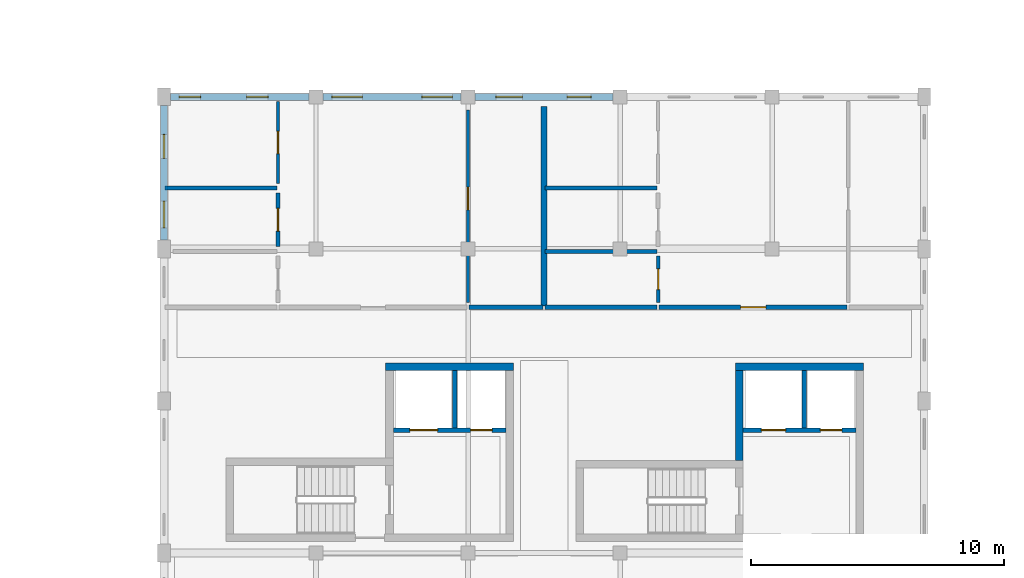
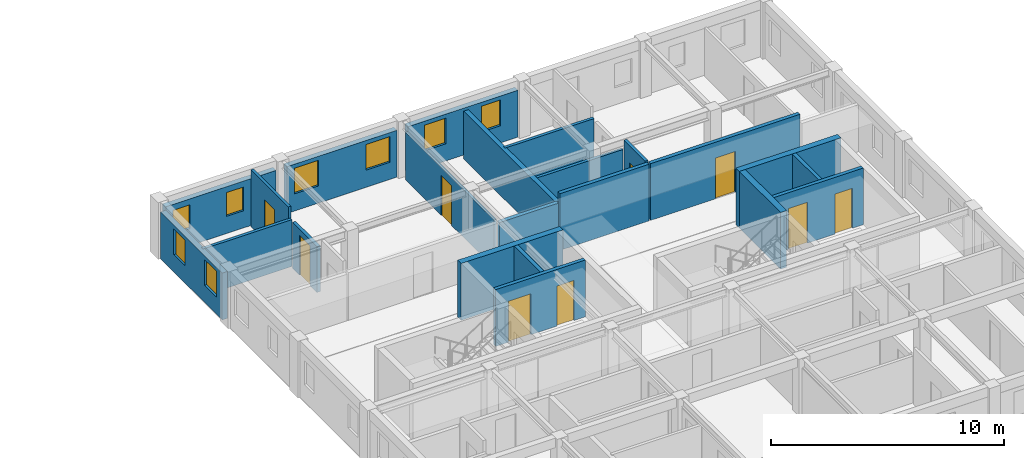
# One storey, part 13 of 28: 22 walls, 9 doors, 8 windows, 17 openings.
"""IFC4 building model written with IfcOpenShell, lengths in metres."""

from ifc_helpers import new_model, si_unit, direction, frame, frame_2d, origin, place, context, subcontext, project, spatial, rectangle, extrude, material, layer, layer_set, type_object, element, fill, save


model = new_model("IFC4")

# Units and contexts
model_context = context("Model", 3, precision=1e-05, world=origin(), true_north=direction((0.0, 1.0)))
body_context = subcontext(model_context, "Body", "Model", "MODEL_VIEW")
ifc_project = project(units=[si_unit("LENGTHUNIT", "METRE"), si_unit("AREAUNIT", "SQUARE_METRE"), si_unit("VOLUMEUNIT", "CUBIC_METRE"), si_unit("PLANEANGLEUNIT", "RADIAN"), si_unit("MASSUNIT", "GRAM", prefix="KILO"), si_unit("POWERUNIT", "WATT"), si_unit("THERMODYNAMICTEMPERATUREUNIT", "KELVIN")], contexts=[model_context])

# Site, building, storey
site_placement = place(None, origin())
site = spatial("IfcSite", under=ifc_project, at=site_placement, CompositionType="ELEMENT")
building_placement = place(site_placement, origin())
building = spatial("IfcBuilding", under=site, at=building_placement, Name="Ruvembo Vaulted Housing Court", CompositionType="ELEMENT")
storey_placement = place(building_placement, frame((0.0, 0.0, 23.699951171875)))
storey = spatial("IfcBuildingStorey", under=building, at=storey_placement, Name="L07", CompositionType="ELEMENT", Elevation=23.699951171875)

# Walls
ifc_material_1 = material(Name="Concrete C35/45", Category="concrete")
ifc_layer_1 = layer(ifc_material_1, 0.300048828125, Name="Concrete C35/45")
ifc_layer_set_1 = layer_set([ifc_layer_1], Name="Concrete C35/45")
wall_type_1 = type_object("IfcWallType", Name="WL-CORE-300", PredefinedType="SHEAR", material=ifc_layer_set_1)
for number, where, z_axis, x_axis, name in (
    (1, (115.800048828125, 19.35009765625, 0.0), (0.0, 0.0, 1.0), (-1.0, 0.0, 0.0), "Core C1 L07 North Shear Wall"),
    (2, (129.60009765625, 19.35009765625, 0.0), (0.0, 0.0, 1.0), (-1.0, 0.0, 0.0), "Core C2 L07 North Shear Wall"),
):
    element("IfcWall", number, at=place(storey_placement, frame(where, z_axis=z_axis, x_axis=x_axis)), inside=storey, type_object=wall_type_1, Name=name, PredefinedType="SHEAR", context=body_context, shape_type="SweptSolid", body=[
        extrude(rectangle(XDim=5.050048828125, YDim=0.300048828125, at=frame_2d((2.52490234375, 0.0))), origin(), (0.0, 0.0, 1.0), 2.97509765625),
    ])
wall_1_placement = place(storey_placement, frame((124.699951171875, 15.64990234375, 0.0), z_axis=(0.0, 0.0, 1.0), x_axis=(0.0, 1.0, 0.0)))
element("IfcWall", 3, at=wall_1_placement, inside=storey, type_object=wall_type_1, Name="Core C2 L07 Upper West Shear Wall", PredefinedType="SHEAR", context=body_context, shape_type="SweptSolid", body=[
    extrude(rectangle(XDim=3.550048828125, YDim=0.300048828125, at=frame_2d((1.77490234375, 0.0))), origin(), (0.0, 0.0, 1.0), 2.97509765625),
])
ifc_material_2 = material(Name="Concrete Blockwork 190", Category="masonry")
ifc_layer_2 = layer(ifc_material_2, 0.18994140625, Name="Concrete Blockwork 190")
ifc_layer_set_2 = layer_set([ifc_layer_2], Name="Concrete Blockwork 190")
wall_type_2 = type_object("IfcWallType", Name="WL-CORR-190", PredefinedType="SOLIDWALL", material=ifc_layer_set_2)
wall_2_placement = place(storey_placement, frame((114.0400390625, 21.699951171875, 0.0), z_axis=(0.0, 0.0, 1.0), x_axis=(1.0, 0.0, 0.0)))
element("IfcWall", 4, at=wall_2_placement, inside=storey, type_object=wall_type_2, Name="L07 Flat C-L07-N1 Corridor Wall 2 WL-INT-L07-01962", PredefinedType="SOLIDWALL", context=body_context, shape_type="SweptSolid", body=[
    extrude(rectangle(XDim=2.919921875, YDim=0.18994140625, at=frame_2d((1.4599609375, 0.0))), origin(), (0.0, 0.0, 1.0), 2.508056640625),
])
wall_3_placement = place(storey_placement, frame((117.0400390625, 21.699951171875, 0.0), z_axis=(0.0, 0.0, 1.0), x_axis=(1.0, 0.0, 0.0)))
element("IfcWall", 5, at=wall_3_placement, inside=storey, type_object=wall_type_2, Name="L07 Flat C-L07-N2 Corridor Wall WL-INT-L07-01964", PredefinedType="SOLIDWALL", context=body_context, shape_type="SweptSolid", body=[
    extrude(rectangle(XDim=4.419921875, YDim=0.18994140625, at=frame_2d((2.2099609375, 0.0))), origin(), (0.0, 0.0, 1.0), 2.97509765625),
])

# Wall, opening, door
wall_4_placement = place(storey_placement, frame((121.5400390625, 21.699951171875, 0.0), z_axis=(0.0, 0.0, 1.0), x_axis=(1.0, 0.0, 0.0)))
wall_4 = element("IfcWall", 6, at=wall_4_placement, inside=storey, type_object=wall_type_2, Name="L07 Flat C-L07-N2 Entrance WL-INT-L07-01965", PredefinedType="SOLIDWALL", context=body_context, shape_type="SweptSolid", body=[
    extrude(rectangle(XDim=7.419921875, YDim=0.18994140625, at=frame_2d((3.7099609375, 0.0))), origin(), (0.0, 0.0, 1.0), 2.97509765625),
])
opening_1_placement = place(wall_4_placement, frame((3.2099609375, 0.0, 0.0)))
opening_1 = element("IfcOpeningElement", 7, at=opening_1_placement, cuts=wall_4, Name="Opening FD1", PredefinedType="OPENING", context=body_context, shape_type="SweptSolid", body=[
    extrude(rectangle(XDim=1.0, YDim=2.14990234375, at=frame_2d((0.5, 1.074951171875))), frame((0.0, 0.10498046875, 0.0), z_axis=(0.0, -1.0, 0.0), x_axis=(1.0, 0.0, 0.0)), (0.0, 0.0, 1.0), 0.2099609375),
])
ifc_material_3 = material(Name="FSC Hardwood and Engineered Timber", Category="wood")
door_type_1 = type_object("IfcDoorType", Name="DR-FLAT-1000x2150", OperationType="NOTDEFINED", PredefinedType="DOOR", material=ifc_material_3)
door_1_placement = place(opening_1_placement, origin())
door_1 = element("IfcDoor", 8, at=door_1_placement, inside=storey, type_object=door_type_1, Name="L07 Flat C-L07-N2 Entrance Door DR-INT-L07-01101", OperationType="SINGLE_SWING_LEFT", OverallHeight=2.14990234375, OverallWidth=1.0, PredefinedType="DOOR", context=body_context, shape_type="SweptSolid", body=[
    extrude(rectangle(XDim=1.0, YDim=2.14990234375, at=frame_2d((0.5, 1.074951171875))), frame((0.0, 0.02490234375, 0.0), z_axis=(0.0, -1.0, 0.0), x_axis=(1.0, 0.0, 0.0)), (0.0, 0.0, 1.0), 0.050048828125),
])
fill(opening_1, door_1)

# Wall
ifc_material_4 = material(Name="Acoustic Masonry Demising 230", Category="masonry")
ifc_layer_3 = layer(ifc_material_4, 0.22998046875, Name="Acoustic Masonry Demising 230")
ifc_layer_set_3 = layer_set([ifc_layer_3], Name="Acoustic Masonry Demising 230")
wall_type_3 = type_object("IfcWallType", Name="WL-DEM-230", PredefinedType="SOLIDWALL", material=ifc_layer_set_3)
wall_5_placement = place(storey_placement, frame((117.0, 21.739990234375, 0.0), z_axis=(0.0, 0.0, 1.0), x_axis=(0.0, 1.0, 0.0)))
element("IfcWall", 9, at=wall_5_placement, inside=storey, type_object=wall_type_3, Name="L07 Demising C-L07-N1 WL-INT-L07-01954", PredefinedType="SOLIDWALL", context=body_context, shape_type="SweptSolid", body=[
    extrude(rectangle(XDim=7.8701171875, YDim=0.22998046875, at=frame_2d((3.93505859375, 0.0))), origin(), (0.0, 0.0, 1.0), 2.508056640625),
])

# Wall, openings, windows
ifc_material_5 = material(Name="Rendered Masonry 270", Category="masonry")
ifc_layer_4 = layer(ifc_material_5, 0.27001953125, Name="Rendered Masonry 270")
ifc_layer_set_4 = layer_set([ifc_layer_4], Name="Rendered Masonry 270")
wall_type_4 = type_object("IfcWallType", Name="WL-EXT-270", PredefinedType="STANDARD", material=ifc_layer_set_4)
wall_6_placement = place(storey_placement, frame((119.72509765625, 30.0, 0.0), z_axis=(0.0, 0.0, 1.0), x_axis=(-1.0, 0.0, 0.0)))
wall_6 = element("IfcWall", 10, at=wall_6_placement, inside=storey, type_object=wall_type_4, Name="Block C L07 Exterior Wall COURTYARD #3", PredefinedType="STANDARD", context=body_context, shape_type="SweptSolid", body=[
    extrude(rectangle(XDim=5.4501953125, YDim=0.27001953125, at=frame_2d((2.72509765625, 0.0))), origin(), (0.0, 0.0, 1.0), 2.45703125),
])
opening_2_placement = place(wall_6_placement, frame((0.867431640625, 0.0, 0.89990234375)))
opening_2 = element("IfcOpeningElement", 11, at=opening_2_placement, cuts=wall_6, Name="Opening W07", PredefinedType="OPENING", context=body_context, shape_type="SweptSolid", body=[
    extrude(rectangle(XDim=0.949951171875, YDim=1.35009765625, at=frame_2d((0.47509765625, 0.675048828125))), frame((0.0, 0.14501953125, 0.0), z_axis=(0.0, -1.0, 0.0), x_axis=(1.0, 0.0, 0.0)), (0.0, 0.0, 1.0), 0.2900390625),
])
opening_3_placement = place(wall_6_placement, frame((3.58251953125, 0.0, 0.89990234375)))
opening_3 = element("IfcOpeningElement", 12, at=opening_3_placement, cuts=wall_6, Name="Opening W09", PredefinedType="OPENING", context=body_context, shape_type="SweptSolid", body=[
    extrude(rectangle(XDim=1.050048828125, YDim=1.35009765625, at=frame_2d((0.52490234375, 0.675048828125))), frame((0.0, 0.14501953125, 0.0), z_axis=(0.0, -1.0, 0.0), x_axis=(1.0, 0.0, 0.0)), (0.0, 0.0, 1.0), 0.2900390625),
])
ifc_material_6 = material(Name="Double Solar-Control Glazing in Aluminium Frame", Category="aluminium")
window_type_1 = type_object("IfcWindowType", Name="WIN-0950x1350", PartitioningType="SINGLE_PANEL", PredefinedType="WINDOW", material=ifc_material_6)
window_1_placement = place(opening_2_placement, origin())
window_1 = element("IfcWindow", 13, at=window_1_placement, inside=storey, type_object=window_type_1, Name="Block C L07 Window #1389", OverallHeight=1.35009765625, OverallWidth=0.949951171875, PartitioningType="SINGLE_PANEL", PredefinedType="WINDOW", context=body_context, shape_type="SweptSolid", body=[
    extrude(rectangle(XDim=0.949951171875, YDim=1.35009765625, at=frame_2d((0.47509765625, 0.675048828125))), frame((0.0, 0.030029296875, 0.0), z_axis=(0.0, -1.0, 0.0), x_axis=(1.0, 0.0, 0.0)), (0.0, 0.0, 1.0), 0.06005859375),
])
fill(opening_2, window_1)
window_type_2 = type_object("IfcWindowType", Name="WIN-1050x1350", PartitioningType="SINGLE_PANEL", PredefinedType="WINDOW", material=ifc_material_6)
window_2_placement = place(opening_3_placement, origin())
window_2 = element("IfcWindow", 14, at=window_2_placement, inside=storey, type_object=window_type_2, Name="Block C L07 Window #1390", OverallHeight=1.35009765625, OverallWidth=1.050048828125, PartitioningType="SINGLE_PANEL", PredefinedType="WINDOW", context=body_context, shape_type="SweptSolid", body=[
    extrude(rectangle(XDim=1.050048828125, YDim=1.35009765625, at=frame_2d((0.52490234375, 0.675048828125))), frame((0.0, 0.030029296875, 0.0), z_axis=(0.0, -1.0, 0.0), x_axis=(1.0, 0.0, 0.0)), (0.0, 0.0, 1.0), 0.06005859375),
])
fill(opening_3, window_2)

wall_7_placement = place(storey_placement, frame((113.72509765625, 30.0, 0.0), z_axis=(0.0, 0.0, 1.0), x_axis=(-1.0, 0.0, 0.0)))
wall_7 = element("IfcWall", 15, at=wall_7_placement, inside=storey, type_object=wall_type_4, Name="Block C L07 Exterior Wall COURTYARD #4", PredefinedType="STANDARD", context=body_context, shape_type="SweptSolid", body=[
    extrude(rectangle(XDim=5.4501953125, YDim=0.27001953125, at=frame_2d((2.72509765625, 0.0))), origin(), (0.0, 0.0, 1.0), 2.45703125),
])
opening_4_placement = place(wall_7_placement, frame((0.35009765625, 0.0, 0.89990234375)))
opening_4 = element("IfcOpeningElement", 16, at=opening_4_placement, cuts=wall_7, Name="Opening W12", PredefinedType="OPENING", context=body_context, shape_type="SweptSolid", body=[
    extrude(rectangle(XDim=1.199951171875, YDim=1.35009765625, at=frame_2d((0.60009765625, 0.675048828125))), frame((0.0, 0.14501953125, 0.0), z_axis=(0.0, -1.0, 0.0), x_axis=(1.0, 0.0, 0.0)), (0.0, 0.0, 1.0), 0.2900390625),
])
opening_5_placement = place(wall_7_placement, frame((3.89990234375, 0.0, 0.89990234375)))
opening_5 = element("IfcOpeningElement", 17, at=opening_5_placement, cuts=wall_7, Name="Opening W12", PredefinedType="OPENING", context=body_context, shape_type="SweptSolid", body=[
    extrude(rectangle(XDim=1.199951171875, YDim=1.35009765625, at=frame_2d((0.60009765625, 0.675048828125))), frame((0.0, 0.14501953125, 0.0), z_axis=(0.0, -1.0, 0.0), x_axis=(1.0, 0.0, 0.0)), (0.0, 0.0, 1.0), 0.2900390625),
])
window_type_3 = type_object("IfcWindowType", Name="WIN-1200x1350", PartitioningType="SINGLE_PANEL", PredefinedType="WINDOW", material=ifc_material_6)
window_3_placement = place(opening_4_placement, origin())
window_3 = element("IfcWindow", 18, at=window_3_placement, inside=storey, type_object=window_type_3, Name="Block C L07 Window #1391", OverallHeight=1.35009765625, OverallWidth=1.199951171875, PartitioningType="SINGLE_PANEL", PredefinedType="WINDOW", context=body_context, shape_type="SweptSolid", body=[
    extrude(rectangle(XDim=1.199951171875, YDim=1.35009765625, at=frame_2d((0.60009765625, 0.675048828125))), frame((0.0, 0.030029296875, 0.0), z_axis=(0.0, -1.0, 0.0), x_axis=(1.0, 0.0, 0.0)), (0.0, 0.0, 1.0), 0.06005859375),
])
fill(opening_4, window_3)
window_4_placement = place(opening_5_placement, origin())
window_4 = element("IfcWindow", 19, at=window_4_placement, inside=storey, type_object=window_type_3, Name="Block C L07 Window #1392", OverallHeight=1.35009765625, OverallWidth=1.199951171875, PartitioningType="SINGLE_PANEL", PredefinedType="WINDOW", context=body_context, shape_type="SweptSolid", body=[
    extrude(rectangle(XDim=1.199951171875, YDim=1.35009765625, at=frame_2d((0.60009765625, 0.675048828125))), frame((0.0, 0.030029296875, 0.0), z_axis=(0.0, -1.0, 0.0), x_axis=(1.0, 0.0, 0.0)), (0.0, 0.0, 1.0), 0.06005859375),
])
fill(opening_5, window_4)

wall_8_placement = place(storey_placement, frame((107.72509765625, 30.0, 0.0), z_axis=(0.0, 0.0, 1.0), x_axis=(-1.0, 0.0, 0.0)))
wall_8 = element("IfcWall", 20, at=wall_8_placement, inside=storey, type_object=wall_type_4, Name="Block C L07 Exterior Wall COURTYARD #5", PredefinedType="STANDARD", context=body_context, shape_type="SweptSolid", body=[
    extrude(rectangle(XDim=5.47509765625, YDim=0.27001953125, at=frame_2d((2.737548828125, 0.0))), origin(), (0.0, 0.0, 1.0), 2.45703125),
])
opening_6_placement = place(wall_8_placement, frame((1.614990234375, 0.0, 0.89990234375)))
opening_6 = element("IfcOpeningElement", 21, at=opening_6_placement, cuts=wall_8, Name="Opening W03", PredefinedType="OPENING", context=body_context, shape_type="SweptSolid", body=[
    extrude(rectangle(XDim=0.85009765625, YDim=1.25, at=frame_2d((0.425048828125, 0.625))), frame((0.0, 0.14501953125, 0.0), z_axis=(0.0, -1.0, 0.0), x_axis=(1.0, 0.0, 0.0)), (0.0, 0.0, 1.0), 0.2900390625),
])
opening_7_placement = place(wall_8_placement, frame((4.27490234375, 0.0, 0.89990234375)))
opening_7 = element("IfcOpeningElement", 22, at=opening_7_placement, cuts=wall_8, Name="Opening W03", PredefinedType="OPENING", context=body_context, shape_type="SweptSolid", body=[
    extrude(rectangle(XDim=0.85009765625, YDim=1.25, at=frame_2d((0.425048828125, 0.625))), frame((0.0, 0.14501953125, 0.0), z_axis=(0.0, -1.0, 0.0), x_axis=(1.0, 0.0, 0.0)), (0.0, 0.0, 1.0), 0.2900390625),
])
window_type_4 = type_object("IfcWindowType", Name="WIN-0850x1250", PartitioningType="SINGLE_PANEL", PredefinedType="WINDOW", material=ifc_material_6)
window_5_placement = place(opening_6_placement, origin())
window_5 = element("IfcWindow", 23, at=window_5_placement, inside=storey, type_object=window_type_4, Name="Block C L07 Window #1393", OverallHeight=1.25, OverallWidth=0.85009765625, PartitioningType="SINGLE_PANEL", PredefinedType="WINDOW", context=body_context, shape_type="SweptSolid", body=[
    extrude(rectangle(XDim=0.85009765625, YDim=1.25, at=frame_2d((0.425048828125, 0.625))), frame((0.0, 0.030029296875, 0.0), z_axis=(0.0, -1.0, 0.0), x_axis=(1.0, 0.0, 0.0)), (0.0, 0.0, 1.0), 0.06005859375),
])
fill(opening_6, window_5)
window_6_placement = place(opening_7_placement, origin())
window_6 = element("IfcWindow", 24, at=window_6_placement, inside=storey, type_object=window_type_4, Name="Block C L07 Window #1394", OverallHeight=1.25, OverallWidth=0.85009765625, PartitioningType="SINGLE_PANEL", PredefinedType="WINDOW", context=body_context, shape_type="SweptSolid", body=[
    extrude(rectangle(XDim=0.85009765625, YDim=1.25, at=frame_2d((0.425048828125, 0.625))), frame((0.0, 0.030029296875, 0.0), z_axis=(0.0, -1.0, 0.0), x_axis=(1.0, 0.0, 0.0)), (0.0, 0.0, 1.0), 0.06005859375),
])
fill(opening_7, window_6)

wall_9_placement = place(storey_placement, frame((102.0, 29.64990234375, 0.0), z_axis=(0.0, 0.0, 1.0), x_axis=(0.0, -1.0, 0.0)))
wall_9 = element("IfcWall", 25, at=wall_9_placement, inside=storey, type_object=wall_type_4, Name="Block C L07 Exterior Wall WEST #1", PredefinedType="STANDARD", context=body_context, shape_type="SweptSolid", body=[
    extrude(rectangle(XDim=5.2998046875, YDim=0.27001953125, at=frame_2d((2.64990234375, 0.0))), origin(), (0.0, 0.0, 1.0), 2.45703125),
])
opening_8_placement = place(wall_9_placement, frame((1.1298828125, 0.0, 0.89990234375)))
opening_8 = element("IfcOpeningElement", 26, at=opening_8_placement, cuts=wall_9, Name="Opening W07", PredefinedType="OPENING", context=body_context, shape_type="SweptSolid", body=[
    extrude(rectangle(XDim=0.949951171875, YDim=1.35009765625, at=frame_2d((0.47509765625, 0.675048828125))), frame((0.0, 0.14501953125, 0.0), z_axis=(0.0, -1.0, 0.0), x_axis=(1.0, 0.0, 0.0)), (0.0, 0.0, 1.0), 0.2900390625),
])
opening_9_placement = place(wall_9_placement, frame((3.77001953125, 0.0, 0.89990234375)))
opening_9 = element("IfcOpeningElement", 27, at=opening_9_placement, cuts=wall_9, Name="Opening W09", PredefinedType="OPENING", context=body_context, shape_type="SweptSolid", body=[
    extrude(rectangle(XDim=1.050048828125, YDim=1.35009765625, at=frame_2d((0.52490234375, 0.675048828125))), frame((0.0, 0.14501953125, 0.0), z_axis=(0.0, -1.0, 0.0), x_axis=(1.0, 0.0, 0.0)), (0.0, 0.0, 1.0), 0.2900390625),
])
window_7_placement = place(opening_8_placement, origin())
window_7 = element("IfcWindow", 28, at=window_7_placement, inside=storey, type_object=window_type_1, Name="Block C L07 Window #1395", OverallHeight=1.35009765625, OverallWidth=0.949951171875, PartitioningType="SINGLE_PANEL", PredefinedType="WINDOW", context=body_context, shape_type="SweptSolid", body=[
    extrude(rectangle(XDim=0.949951171875, YDim=1.35009765625, at=frame_2d((0.47509765625, 0.675048828125))), frame((0.0, 0.030029296875, 0.0), z_axis=(0.0, -1.0, 0.0), x_axis=(1.0, 0.0, 0.0)), (0.0, 0.0, 1.0), 0.06005859375),
])
fill(opening_8, window_7)
window_8_placement = place(opening_9_placement, origin())
window_8 = element("IfcWindow", 29, at=window_8_placement, inside=storey, type_object=window_type_2, Name="Block C L07 Window #1396", OverallHeight=1.35009765625, OverallWidth=1.050048828125, PartitioningType="SINGLE_PANEL", PredefinedType="WINDOW", context=body_context, shape_type="SweptSolid", body=[
    extrude(rectangle(XDim=1.050048828125, YDim=1.35009765625, at=frame_2d((0.52490234375, 0.675048828125))), frame((0.0, 0.030029296875, 0.0), z_axis=(0.0, -1.0, 0.0), x_axis=(1.0, 0.0, 0.0)), (0.0, 0.0, 1.0), 0.06005859375),
])
fill(opening_9, window_8)

# Wall, opening, door
ifc_material_7 = material(Name="Plasterboard Stud Partition 125", Category="gypsum")
ifc_layer_5 = layer(ifc_material_7, 0.125, Name="Plasterboard Stud Partition 125")
ifc_layer_set_5 = layer_set([ifc_layer_5], Name="Plasterboard Stud Partition 125")
wall_type_5 = type_object("IfcWallType", Name="WL-PART-125", PredefinedType="PARTITIONING", material=ifc_layer_set_5)
wall_10_placement = place(storey_placement, frame((106.5, 26.590087890625, 0.0), z_axis=(0.0, 0.0, 1.0), x_axis=(0.0, 1.0, 0.0)))
wall_10 = element("IfcWall", 30, at=wall_10_placement, inside=storey, type_object=wall_type_5, Name="L07 Flat C-L07-N1 Bedroom 1 WL-INT-L07-01957", PredefinedType="PARTITIONING", context=body_context, shape_type="SweptSolid", body=[
    extrude(rectangle(XDim=3.219970703125, YDim=0.125, at=frame_2d((1.60986328125, 0.0))), origin(), (0.0, 0.0, 1.0), 2.97509765625),
])
opening_10_placement = place(wall_10_placement, frame((1.169921875, 0.0, 0.0)))
opening_10 = element("IfcOpeningElement", 31, at=opening_10_placement, cuts=wall_10, Name="Opening ID3", PredefinedType="OPENING", context=body_context, shape_type="SweptSolid", body=[
    extrude(rectangle(XDim=0.8798828125, YDim=2.10009765625, at=frame_2d((0.43994140625, 1.050048828125))), frame((0.0, 0.072509765625, 0.0), z_axis=(0.0, -1.0, 0.0), x_axis=(1.0, 0.0, 0.0)), (0.0, 0.0, 1.0), 0.14501953125),
])
door_type_2 = type_object("IfcDoorType", Name="DR-ROOM-0880x2100", OperationType="NOTDEFINED", PredefinedType="DOOR", material=ifc_material_3)
door_2_placement = place(opening_10_placement, origin())
door_2 = element("IfcDoor", 32, at=door_2_placement, inside=storey, type_object=door_type_2, Name="L07 Flat C-L07-N1 Bedroom 1 Door DR-INT-L07-01097", OperationType="SINGLE_SWING_LEFT", OverallHeight=2.10009765625, OverallWidth=0.8798828125, PredefinedType="DOOR", context=body_context, shape_type="SweptSolid", body=[
    extrude(rectangle(XDim=0.8798828125, YDim=2.10009765625, at=frame_2d((0.43994140625, 1.050048828125))), frame((0.0, 0.02490234375, 0.0), z_axis=(0.0, -1.0, 0.0), x_axis=(1.0, 0.0, 0.0)), (0.0, 0.0, 1.0), 0.050048828125),
])
fill(opening_10, door_2)

wall_11_placement = place(storey_placement, frame((114.0, 21.889892578125, 0.0), z_axis=(0.0, 0.0, 1.0), x_axis=(0.0, 1.0, 0.0)))
wall_11 = element("IfcWall", 33, at=wall_11_placement, inside=storey, type_object=wall_type_5, Name="L07 Flat C-L07-N1 Bedroom 2 WL-INT-L07-01963", PredefinedType="PARTITIONING", context=body_context, shape_type="SweptSolid", body=[
    extrude(rectangle(XDim=7.60009765625, YDim=0.125, at=frame_2d((3.800048828125, 0.0))), origin(), (0.0, 0.0, 1.0), 2.508056640625),
])
opening_11_placement = place(wall_11_placement, frame((3.64990234375, 0.0, 0.0)))
opening_11 = element("IfcOpeningElement", 34, at=opening_11_placement, cuts=wall_11, Name="Opening ID1", PredefinedType="OPENING", context=body_context, shape_type="SweptSolid", body=[
    extrude(rectangle(XDim=0.89990234375, YDim=2.10009765625, at=frame_2d((0.449951171875, 1.050048828125))), frame((0.0, 0.072509765625, 0.0), z_axis=(0.0, -1.0, 0.0), x_axis=(1.0, 0.0, 0.0)), (0.0, 0.0, 1.0), 0.14501953125),
])
door_type_3 = type_object("IfcDoorType", Name="DR-ROOM-0900x2100", OperationType="NOTDEFINED", PredefinedType="DOOR", material=ifc_material_3)
door_3_placement = place(opening_11_placement, origin())
door_3 = element("IfcDoor", 35, at=door_3_placement, inside=storey, type_object=door_type_3, Name="L07 Flat C-L07-N1 Bedroom 2 Door DR-INT-L07-01100", OperationType="SINGLE_SWING_RIGHT", OverallHeight=2.10009765625, OverallWidth=0.89990234375, PredefinedType="DOOR", context=body_context, shape_type="SweptSolid", body=[
    extrude(rectangle(XDim=0.89990234375, YDim=2.10009765625, at=frame_2d((0.449951171875, 1.050048828125))), frame((0.0, 0.02490234375, 0.0), z_axis=(0.0, -1.0, 0.0), x_axis=(1.0, 0.0, 0.0)), (0.0, 0.0, 1.0), 0.050048828125),
])
fill(opening_11, door_3)

# Wall
ifc_material_8 = material(Name="Moisture-Resistant Wet Partition 150", Category="gypsum")
ifc_layer_6 = layer(ifc_material_8, 0.14990234375, Name="Moisture-Resistant Wet Partition 150")
ifc_layer_set_6 = layer_set([ifc_layer_6], Name="Moisture-Resistant Wet Partition 150")
wall_type_6 = type_object("IfcWallType", Name="WL-PART-150", PredefinedType="PARTITIONING", material=ifc_layer_set_6)
wall_12_placement = place(storey_placement, frame((102.0400390625, 26.39990234375, 0.0), z_axis=(0.0, 0.0, 1.0), x_axis=(1.0, 0.0, 0.0)))
element("IfcWall", 36, at=wall_12_placement, inside=storey, type_object=wall_type_6, Name="L07 Flat C-L07-N1 Wet Wall 1 WL-INT-L07-01960", PredefinedType="PARTITIONING", context=body_context, shape_type="SweptSolid", body=[
    extrude(rectangle(XDim=4.419921875, YDim=0.14990234375, at=frame_2d((2.2099609375, 0.0))), origin(), (0.0, 0.0, 1.0), 2.45703125),
])

# Wall, opening, door
wall_13_placement = place(storey_placement, frame((121.5, 21.889892578125, 0.0), z_axis=(0.0, 0.0, 1.0), x_axis=(0.0, 1.0, 0.0)))
wall_13 = element("IfcWall", 37, at=wall_13_placement, inside=storey, type_object=wall_type_6, Name="L07 Flat C-L07-N2 Bathroom WL-INT-L07-01968", PredefinedType="PARTITIONING", context=body_context, shape_type="SweptSolid", body=[
    extrude(rectangle(XDim=1.820068359375, YDim=0.14990234375, at=frame_2d((0.91015625, 0.0))), origin(), (0.0, 0.0, 1.0), 2.97509765625),
])
opening_12_placement = place(wall_13_placement, frame((0.5, 0.0, 0.0)))
opening_12 = element("IfcOpeningElement", 38, at=opening_12_placement, cuts=wall_13, Name="Opening ID4", PredefinedType="OPENING", context=body_context, shape_type="SweptSolid", body=[
    extrude(rectangle(XDim=0.820068359375, YDim=2.080078125, at=frame_2d((0.41015625, 1.0400390625))), frame((0.0, 0.0849609375, 0.0), z_axis=(0.0, -1.0, 0.0), x_axis=(1.0, 0.0, 0.0)), (0.0, 0.0, 1.0), 0.169921875),
])
door_type_4 = type_object("IfcDoorType", Name="DR-WET-0820x2080", OperationType="NOTDEFINED", PredefinedType="DOOR", material=ifc_material_3)
door_4_placement = place(opening_12_placement, origin())
door_4 = element("IfcDoor", 39, at=door_4_placement, inside=storey, type_object=door_type_4, Name="L07 Flat C-L07-N2 Bathroom Door DR-INT-L07-01104", OperationType="SINGLE_SWING_RIGHT", OverallHeight=2.080078125, OverallWidth=0.820068359375, PredefinedType="DOOR", context=body_context, shape_type="SweptSolid", body=[
    extrude(rectangle(XDim=0.820068359375, YDim=2.080078125, at=frame_2d((0.41015625, 1.0400390625))), frame((0.0, 0.02490234375, 0.0), z_axis=(0.0, -1.0, 0.0), x_axis=(1.0, 0.0, 0.0)), (0.0, 0.0, 1.0), 0.050048828125),
])
fill(opening_12, door_4)

# Walls
wall_14_placement = place(storey_placement, frame((117.0400390625, 26.39990234375, 0.0), z_axis=(0.0, 0.0, 1.0), x_axis=(1.0, 0.0, 0.0)))
element("IfcWall", 40, at=wall_14_placement, inside=storey, type_object=wall_type_6, Name="L07 Flat C-L07-N2 Wet Wall 1 WL-INT-L07-01969", PredefinedType="PARTITIONING", context=body_context, shape_type="SweptSolid", body=[
    extrude(rectangle(XDim=4.419921875, YDim=0.14990234375, at=frame_2d((2.2099609375, 0.0))), origin(), (0.0, 0.0, 1.0), 2.508056640625),
])
wall_15_placement = place(storey_placement, frame((117.0400390625, 23.89990234375, 0.0), z_axis=(0.0, 0.0, 1.0), x_axis=(1.0, 0.0, 0.0)))
element("IfcWall", 41, at=wall_15_placement, inside=storey, type_object=wall_type_6, Name="L07 Flat C-L07-N2 Wet Wall 2 WL-INT-L07-01970", PredefinedType="PARTITIONING", context=body_context, shape_type="SweptSolid", body=[
    extrude(rectangle(XDim=4.419921875, YDim=0.14990234375, at=frame_2d((2.2099609375, 0.0))), origin(), (0.0, 0.0, 1.0), 2.407958984375),
])

# Wall, opening, door
ifc_material_9 = material(Name="Acoustic Service Chase Wall 160", Category="gypsum")
ifc_layer_7 = layer(ifc_material_9, 0.159912109375, Name="Acoustic Service Chase Wall 160")
ifc_layer_set_7 = layer_set([ifc_layer_7], Name="Acoustic Service Chase Wall 160")
wall_type_7 = type_object("IfcWallType", Name="WL-PLUMB-160", PredefinedType="PLUMBINGWALL", material=ifc_layer_set_7)
wall_16_placement = place(storey_placement, frame((106.5, 24.090087890625, 0.0), z_axis=(0.0, 0.0, 1.0), x_axis=(0.0, 1.0, 0.0)))
wall_16 = element("IfcWall", 42, at=wall_16_placement, inside=storey, type_object=wall_type_7, Name="L07 Flat C-L07-N1 Kitchen WL-INT-L07-01958", PredefinedType="PLUMBINGWALL", context=body_context, shape_type="SweptSolid", body=[
    extrude(rectangle(XDim=2.119873046875, YDim=0.159912109375, at=frame_2d((1.06005859375, 0.0))), origin(), (0.0, 0.0, 1.0), 2.407958984375),
])
opening_13_placement = place(wall_16_placement, frame((0.610107421875, 0.0, 0.0)))
opening_13 = element("IfcOpeningElement", 43, at=opening_13_placement, cuts=wall_16, Name="Opening ID1", PredefinedType="OPENING", context=body_context, shape_type="SweptSolid", body=[
    extrude(rectangle(XDim=0.89990234375, YDim=2.10009765625, at=frame_2d((0.449951171875, 1.050048828125))), frame((0.0, 0.08984375, 0.0), z_axis=(0.0, -1.0, 0.0), x_axis=(1.0, 0.0, 0.0)), (0.0, 0.0, 1.0), 0.179931640625),
])
door_5_placement = place(opening_13_placement, origin())
door_5 = element("IfcDoor", 44, at=door_5_placement, inside=storey, type_object=door_type_3, Name="L07 Flat C-L07-N1 Kitchen Door DR-INT-L07-01098", OperationType="SINGLE_SWING_RIGHT", OverallHeight=2.10009765625, OverallWidth=0.89990234375, PredefinedType="DOOR", context=body_context, shape_type="SweptSolid", body=[
    extrude(rectangle(XDim=0.89990234375, YDim=2.10009765625, at=frame_2d((0.449951171875, 1.050048828125))), frame((0.0, 0.02490234375, 0.0), z_axis=(0.0, -1.0, 0.0), x_axis=(1.0, 0.0, 0.0)), (0.0, 0.0, 1.0), 0.050048828125),
])
fill(opening_13, door_5)

# Wall, openings, doors
ifc_material_10 = material(Name="Fire-Rated Masonry Shaft 180", Category="masonry")
ifc_layer_8 = layer(ifc_material_10, 0.179931640625, Name="Fire-Rated Masonry Shaft 180")
ifc_layer_set_8 = layer_set([ifc_layer_8], Name="Fire-Rated Masonry Shaft 180")
wall_type_8 = type_object("IfcWallType", Name="WL-SHAFT-180", PredefinedType="SOLIDWALL", material=ifc_layer_set_8)
wall_17_placement = place(storey_placement, frame((111.050048828125, 16.85009765625, 0.0), z_axis=(0.0, 0.0, 1.0), x_axis=(1.0, 0.0, 0.0)))
wall_17 = element("IfcWall", 45, at=wall_17_placement, inside=storey, type_object=wall_type_8, Name="Core C1 L07 Lift and Riser Front Wall", PredefinedType="SOLIDWALL", context=body_context, shape_type="SweptSolid", body=[
    extrude(rectangle(XDim=4.449951171875, YDim=0.179931640625, at=frame_2d((2.22509765625, 0.0))), origin(), (0.0, 0.0, 1.0), 2.97509765625),
])
opening_14_placement = place(wall_17_placement, frame((0.64990234375, 0.0, 0.0)))
opening_14 = element("IfcOpeningElement", 46, at=opening_14_placement, cuts=wall_17, Name="Opening LD-LP-C1-L07", PredefinedType="OPENING", context=body_context, shape_type="SweptSolid", body=[
    extrude(rectangle(XDim=1.10009765625, YDim=2.14990234375, at=frame_2d((0.550048828125, 1.074951171875))), frame((0.0, 0.099853515625, 0.0), z_axis=(0.0, -1.0, 0.0), x_axis=(1.0, 0.0, 0.0)), (0.0, 0.0, 1.0), 0.199951171875),
])
opening_15_placement = place(wall_17_placement, frame((3.050048828125, 0.0, 0.0)))
opening_15 = element("IfcOpeningElement", 47, at=opening_15_placement, cuts=wall_17, Name="Opening RD1", PredefinedType="OPENING", context=body_context, shape_type="SweptSolid", body=[
    extrude(rectangle(XDim=0.85009765625, YDim=2.10009765625, at=frame_2d((0.425048828125, 1.050048828125))), frame((0.0, 0.099853515625, 0.0), z_axis=(0.0, -1.0, 0.0), x_axis=(1.0, 0.0, 0.0)), (0.0, 0.0, 1.0), 0.199951171875),
])
ifc_material_11 = material(Name="Brushed Stainless Steel 304", Category="steel")
door_type_5 = type_object("IfcDoorType", Name="DR-LIFT-1100x2150", OperationType="NOTDEFINED", PredefinedType="DOOR", material=ifc_material_11)
door_6_placement = place(opening_14_placement, origin())
door_6 = element("IfcDoor", 48, at=door_6_placement, inside=storey, type_object=door_type_5, Name="Lift LP-C1 L07 Sliding Landing Door", OperationType="SLIDING_TO_LEFT", OverallHeight=2.14990234375, OverallWidth=1.10009765625, PredefinedType="DOOR", context=body_context, shape_type="SweptSolid", body=[
    extrude(rectangle(XDim=1.10009765625, YDim=2.14990234375, at=frame_2d((0.550048828125, 1.074951171875))), frame((0.0, 0.02490234375, 0.0), z_axis=(0.0, -1.0, 0.0), x_axis=(1.0, 0.0, 0.0)), (0.0, 0.0, 1.0), 0.050048828125),
])
fill(opening_14, door_6)
ifc_material_12 = material(Name="Galvanised Painted Steel", Category="steel")
door_type_6 = type_object("IfcDoorType", Name="DR-RISER-0850x2100", OperationType="NOTDEFINED", PredefinedType="DOOR", material=ifc_material_12)
door_7_placement = place(opening_15_placement, frame((0.85009765625, 0.0, 0.0), z_axis=(0.0, 0.0, 1.0), x_axis=(-1.0, 0.0, 0.0)))
door_7 = element("IfcDoor", 49, at=door_7_placement, inside=storey, type_object=door_type_6, Name="Core C1 L07 Service Riser Door", OperationType="SINGLE_SWING_LEFT", OverallHeight=2.10009765625, OverallWidth=0.85009765625, PredefinedType="DOOR", context=body_context, shape_type="SweptSolid", body=[
    extrude(rectangle(XDim=0.85009765625, YDim=2.10009765625, at=frame_2d((0.425048828125, 1.050048828125))), frame((0.0, 0.02490234375, 0.0), z_axis=(0.0, -1.0, 0.0), x_axis=(1.0, 0.0, 0.0)), (0.0, 0.0, 1.0), 0.050048828125),
])
fill(opening_15, door_7)

# Wall
wall_18_placement = place(storey_placement, frame((113.469970703125, 16.93994140625, 0.0), z_axis=(0.0, 0.0, 1.0), x_axis=(0.0, 1.0, 0.0)))
element("IfcWall", 50, at=wall_18_placement, inside=storey, type_object=wall_type_8, Name="Core C1 L07 Shaft-Riser Divider Wall", PredefinedType="SOLIDWALL", context=body_context, shape_type="SweptSolid", body=[
    extrude(rectangle(XDim=2.260009765625, YDim=0.179931640625, at=frame_2d((1.1298828125, 0.0))), origin(), (0.0, 0.0, 1.0), 2.97509765625),
])

# Wall, openings, doors
wall_19_placement = place(storey_placement, frame((124.85009765625, 16.85009765625, 0.0), z_axis=(0.0, 0.0, 1.0), x_axis=(1.0, 0.0, 0.0)))
wall_19 = element("IfcWall", 51, at=wall_19_placement, inside=storey, type_object=wall_type_8, Name="Core C2 L07 Lift and Riser Front Wall", PredefinedType="SOLIDWALL", context=body_context, shape_type="SweptSolid", body=[
    extrude(rectangle(XDim=4.449951171875, YDim=0.179931640625, at=frame_2d((2.22509765625, 0.0))), origin(), (0.0, 0.0, 1.0), 2.97509765625),
])
opening_16_placement = place(wall_19_placement, frame((0.72509765625, 0.0, 0.0)))
opening_16 = element("IfcOpeningElement", 52, at=opening_16_placement, cuts=wall_19, Name="Opening LD-LP-C2-L07", PredefinedType="OPENING", context=body_context, shape_type="SweptSolid", body=[
    extrude(rectangle(XDim=0.949951171875, YDim=2.14990234375, at=frame_2d((0.47509765625, 1.074951171875))), frame((0.0, 0.099853515625, 0.0), z_axis=(0.0, -1.0, 0.0), x_axis=(1.0, 0.0, 0.0)), (0.0, 0.0, 1.0), 0.199951171875),
])
opening_17_placement = place(wall_19_placement, frame((3.050048828125, 0.0, 0.0)))
opening_17 = element("IfcOpeningElement", 53, at=opening_17_placement, cuts=wall_19, Name="Opening RD1", PredefinedType="OPENING", context=body_context, shape_type="SweptSolid", body=[
    extrude(rectangle(XDim=0.85009765625, YDim=2.10009765625, at=frame_2d((0.425048828125, 1.050048828125))), frame((0.0, 0.099853515625, 0.0), z_axis=(0.0, -1.0, 0.0), x_axis=(1.0, 0.0, 0.0)), (0.0, 0.0, 1.0), 0.199951171875),
])
door_type_7 = type_object("IfcDoorType", Name="DR-LIFT-0950x2150", OperationType="NOTDEFINED", PredefinedType="DOOR", material=ifc_material_11)
door_8_placement = place(opening_16_placement, origin())
door_8 = element("IfcDoor", 54, at=door_8_placement, inside=storey, type_object=door_type_7, Name="Lift LP-C2 L07 Sliding Landing Door", OperationType="SLIDING_TO_LEFT", OverallHeight=2.14990234375, OverallWidth=0.949951171875, PredefinedType="DOOR", context=body_context, shape_type="SweptSolid", body=[
    extrude(rectangle(XDim=0.949951171875, YDim=2.14990234375, at=frame_2d((0.47509765625, 1.074951171875))), frame((0.0, 0.02490234375, 0.0), z_axis=(0.0, -1.0, 0.0), x_axis=(1.0, 0.0, 0.0)), (0.0, 0.0, 1.0), 0.050048828125),
])
fill(opening_16, door_8)
door_9_placement = place(opening_17_placement, frame((0.85009765625, 0.0, 0.0), z_axis=(0.0, 0.0, 1.0), x_axis=(-1.0, 0.0, 0.0)))
door_9 = element("IfcDoor", 55, at=door_9_placement, inside=storey, type_object=door_type_6, Name="Core C2 L07 Service Riser Door", OperationType="SINGLE_SWING_RIGHT", OverallHeight=2.10009765625, OverallWidth=0.85009765625, PredefinedType="DOOR", context=body_context, shape_type="SweptSolid", body=[
    extrude(rectangle(XDim=0.85009765625, YDim=2.10009765625, at=frame_2d((0.425048828125, 1.050048828125))), frame((0.0, 0.02490234375, 0.0), z_axis=(0.0, -1.0, 0.0), x_axis=(1.0, 0.0, 0.0)), (0.0, 0.0, 1.0), 0.050048828125),
])
fill(opening_17, door_9)

# Wall
wall_20_placement = place(storey_placement, frame((127.27001953125, 16.93994140625, 0.0), z_axis=(0.0, 0.0, 1.0), x_axis=(0.0, 1.0, 0.0)))
element("IfcWall", 56, at=wall_20_placement, inside=storey, type_object=wall_type_8, Name="Core C2 L07 Shaft-Riser Divider Wall", PredefinedType="SOLIDWALL", context=body_context, shape_type="SweptSolid", body=[
    extrude(rectangle(XDim=2.260009765625, YDim=0.179931640625, at=frame_2d((1.1298828125, 0.0))), origin(), (0.0, 0.0, 1.0), 2.97509765625),
])

save(model, "model.ifc")
